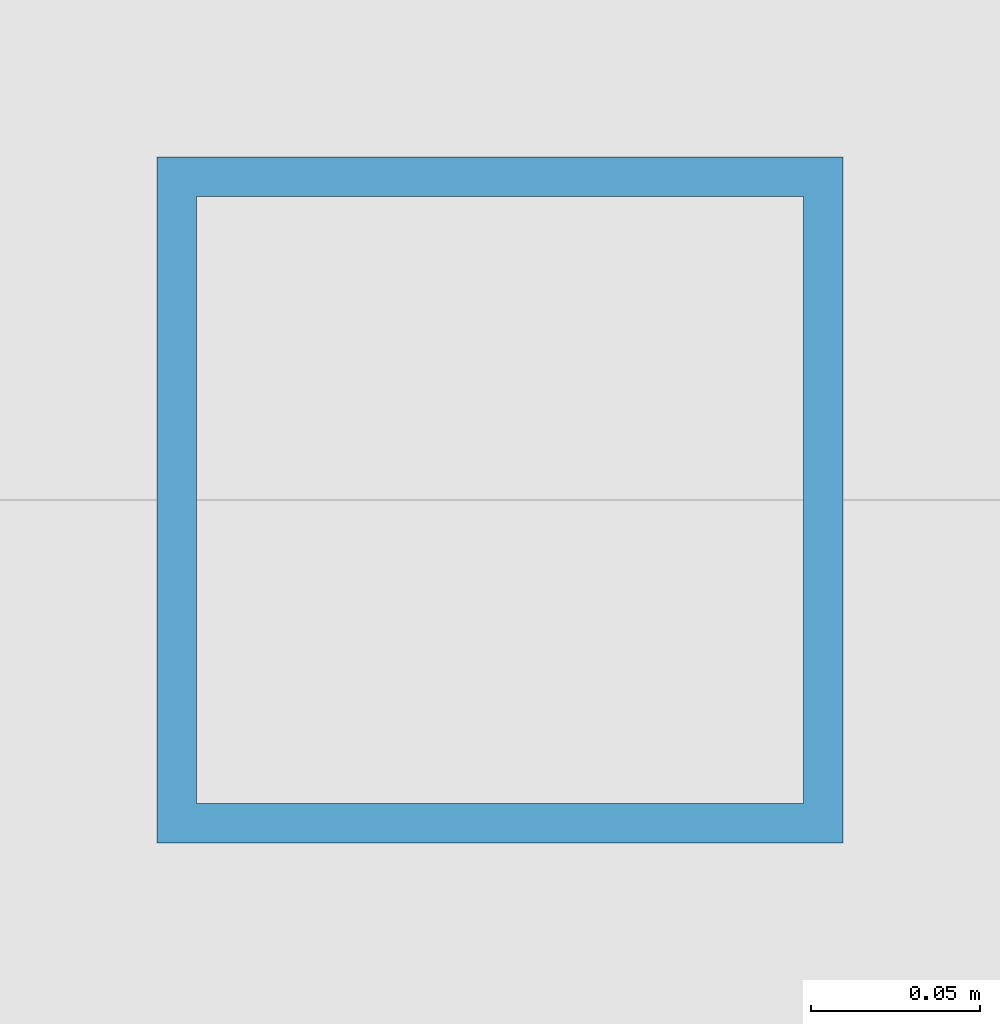
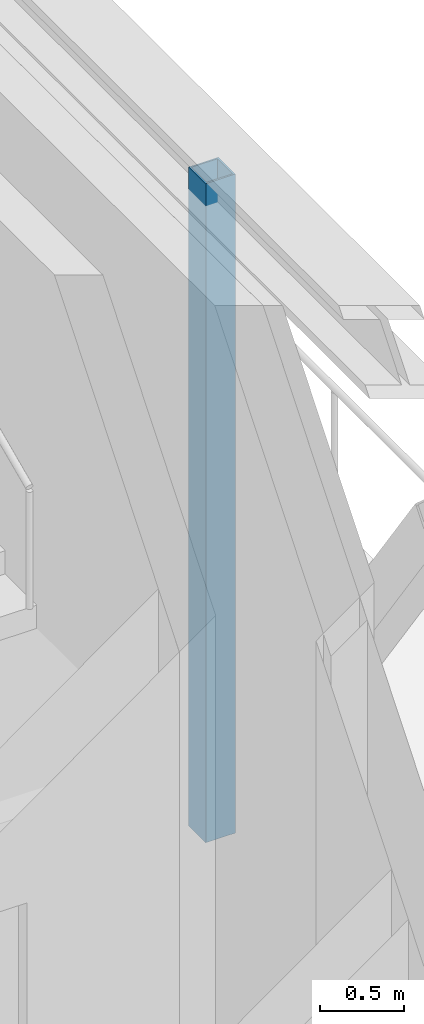
# One storey, part 16 of 30: 1 member.
"""IFC4 building model written with IfcOpenShell, lengths in metres."""

from ifc_helpers import new_model, si_unit, direction, frame, origin, origin_2d, place, context, subcontext, project, spatial, hollow_rectangle, extrude, material, material_profile, profile_set, type_object, element, save


model = new_model("IFC4")

# Units and contexts
model_context = context("Model", 3, precision=1e-05, world=origin(), true_north=direction((0.0, 1.0)))
body_context = subcontext(model_context, "Body", "Model", "MODEL_VIEW")
ifc_project = project(units=[si_unit("LENGTHUNIT", "METRE"), si_unit("AREAUNIT", "SQUARE_METRE"), si_unit("VOLUMEUNIT", "CUBIC_METRE"), si_unit("PLANEANGLEUNIT", "RADIAN"), si_unit("MASSUNIT", "GRAM", prefix="KILO")], contexts=[model_context])

# Site, building, storey
site_placement = place(None, origin())
site = spatial("IfcSite", under=ifc_project, at=site_placement, CompositionType="ELEMENT")
building_placement = place(site_placement, origin())
building = spatial("IfcBuilding", under=site, at=building_placement, Name="Bicima Exchange Tower", CompositionType="ELEMENT")
storey_placement = place(building_placement, frame((0.0, 0.0, 185.5)))
storey = spatial("IfcBuildingStorey", under=building, at=storey_placement, Name="L41", CompositionType="ELEMENT", Elevation=185.5)

# Member
ifc_material = material(Name="Steel ASTM A572 Gr 50", Category="steel")
ifc_material_profile = material_profile(ifc_material, hollow_rectangle(XDim=0.203125, YDim=0.203125, WallThickness=0.01171875, at=origin_2d()))
ifc_profile_set = profile_set([ifc_material_profile], Name="Steel ASTM A572 Gr 50")
member_type = type_object("IfcMemberType", Name="Belt truss post HSS8x8x1/2", PredefinedType="POST", material=ifc_profile_set)
member_placement = place(storey_placement, frame((33.60009765625, -9.199951171875, 0.227294921875), z_axis=(0.0, 0.0, 1.0), x_axis=(1.0, 0.0, 0.0)))
element("IfcMember", 1, at=member_placement, inside=storey, type_object=member_type, Name="Truss post", PredefinedType="POST", context=body_context, shape_type="SweptSolid", body=[
    extrude(hollow_rectangle(XDim=0.203125, YDim=0.203125, WallThickness=0.01171875, at=origin_2d()), origin(), (0.0, 0.0, 1.0), 4.79541015625),
])

save(model, "model.ifc")
